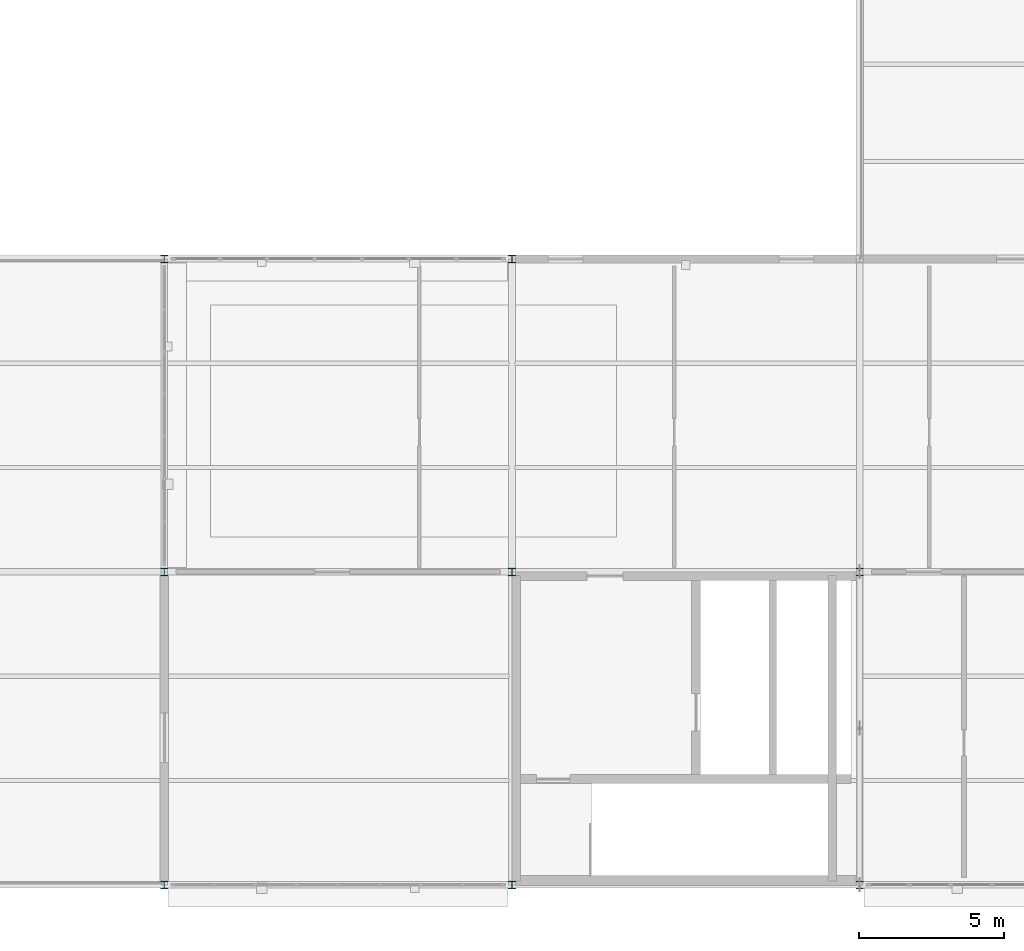
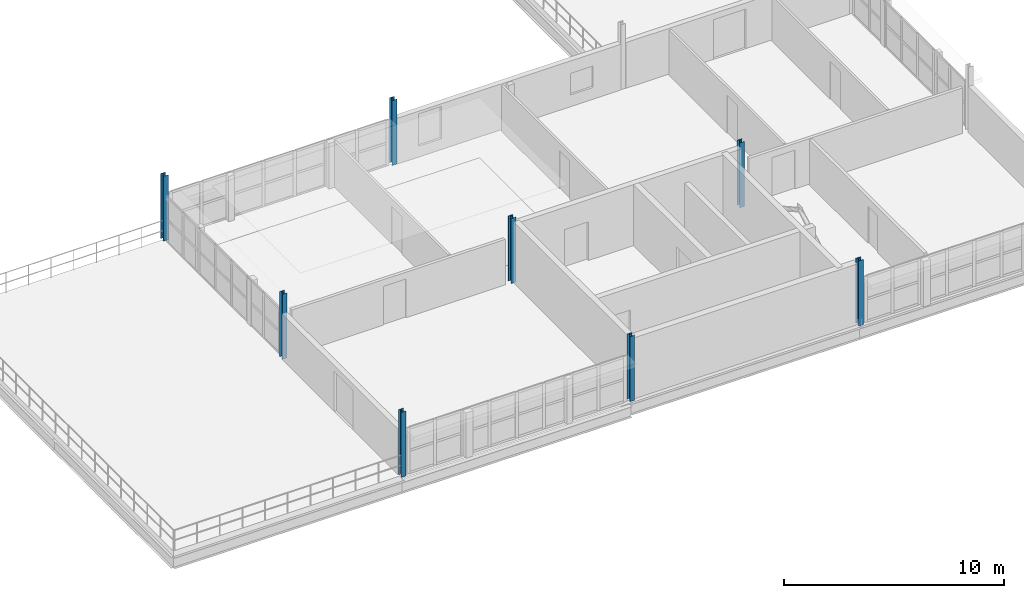
# One storey, part 12 of 62: 8 columns.
"""IFC4 building model written with IfcOpenShell, lengths in metres."""

from ifc_helpers import new_model, si_unit, direction, frame, origin, origin_2d, place, context, subcontext, project, spatial, i_section, extrude, material, material_profile, profile_set, type_object, element, save


model = new_model("IFC4")

# Units and contexts
model_context = context("Model", 3, precision=1e-05, world=origin(), true_north=direction((0.0, 1.0)))
body_context = subcontext(model_context, "Body", "Model", "MODEL_VIEW")
ifc_project = project(units=[si_unit("LENGTHUNIT", "METRE"), si_unit("AREAUNIT", "SQUARE_METRE"), si_unit("VOLUMEUNIT", "CUBIC_METRE"), si_unit("PLANEANGLEUNIT", "RADIAN"), si_unit("MASSUNIT", "GRAM", prefix="KILO"), si_unit("THERMODYNAMICTEMPERATUREUNIT", "KELVIN"), si_unit("POWERUNIT", "WATT")], contexts=[model_context])

# Site, building, storey
site_placement = place(None, origin())
site = spatial("IfcSite", under=ifc_project, at=site_placement, CompositionType="ELEMENT")
building_placement = place(site_placement, origin())
building = spatial("IfcBuilding", under=site, at=building_placement, Name="Tembeka Court Mobility Hub", CompositionType="ELEMENT")
storey_placement = place(building_placement, frame((0.0, 0.0, 16.199951171875)))
storey = spatial("IfcBuildingStorey", under=building, at=storey_placement, Name="L04", CompositionType="ELEMENT", Elevation=16.199951171875)

# Columns
ifc_material = material(Name="Steel S355", Category="steel")
ifc_material_profile = material_profile(ifc_material, i_section(OverallWidth=0.256103515625, OverallDepth=0.260009765625, WebThickness=0.01025390625, FlangeThickness=0.017333984375, FilletRadius=0.0126953125, at=origin_2d()), Name="UKC 254x254x89")
ifc_profile_set = profile_set([ifc_material_profile], Name="Steel S355")
column_type = type_object("IfcColumnType", Name="COL-C05", PredefinedType="COLUMN", material=ifc_profile_set)
for number, where, z_axis, x_axis, name in (
    (1, (140.39990234375, 0.0, 0.0), (0.0, 0.0, 1.0), (1.0, 0.0, 0.0), "Column C05 (L04-193)"),
    (2, (140.39990234375, 10.800048828125, 0.0), (0.0, 0.0, 1.0), (1.0, 0.0, 0.0), "Column C05 (L04-194)"),
    (3, (140.39990234375, 21.60009765625, 0.0), (0.0, 0.0, 1.0), (1.0, 0.0, 0.0), "Column C05 (L04-195)"),
    (4, (152.39990234375, 0.0, 0.0), (0.0, 0.0, 1.0), (1.0, 0.0, 0.0), "Column C05 (L04-206)"),
    (5, (152.39990234375, 10.800048828125, 0.0), (0.0, 0.0, 1.0), (1.0, 0.0, 0.0), "Column C05 (L04-207)"),
    (6, (152.39990234375, 21.60009765625, 0.0), (0.0, 0.0, 1.0), (1.0, 0.0, 0.0), "Column C05 (L04-208)"),
    (7, (164.39990234375, 0.0, 0.0), (0.0, 0.0, 1.0), (1.0, 0.0, 0.0), "Column C05 (L04-220)"),
    (8, (164.39990234375, 10.800048828125, 0.0), (0.0, 0.0, 1.0), (1.0, 0.0, 0.0), "Column C05 (L04-221)"),
):
    element("IfcColumn", number, at=place(storey_placement, frame(where, z_axis=z_axis, x_axis=x_axis)), inside=storey, type_object=column_type, Name=name, PredefinedType="COLUMN", context=body_context, shape_type="SweptSolid", body=[
        extrude(i_section(OverallWidth=0.256103515625, OverallDepth=0.260009765625, WebThickness=0.01025390625, FlangeThickness=0.017333984375, FilletRadius=0.0126953125, at=origin_2d()), origin(), (0.0, 0.0, 1.0), 3.60009765625),
    ])

save(model, "model.ifc")
